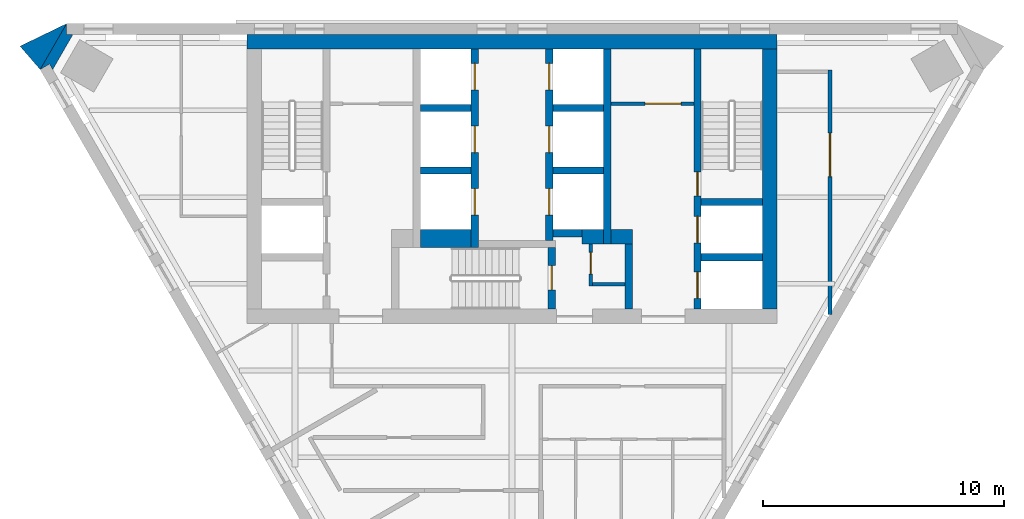
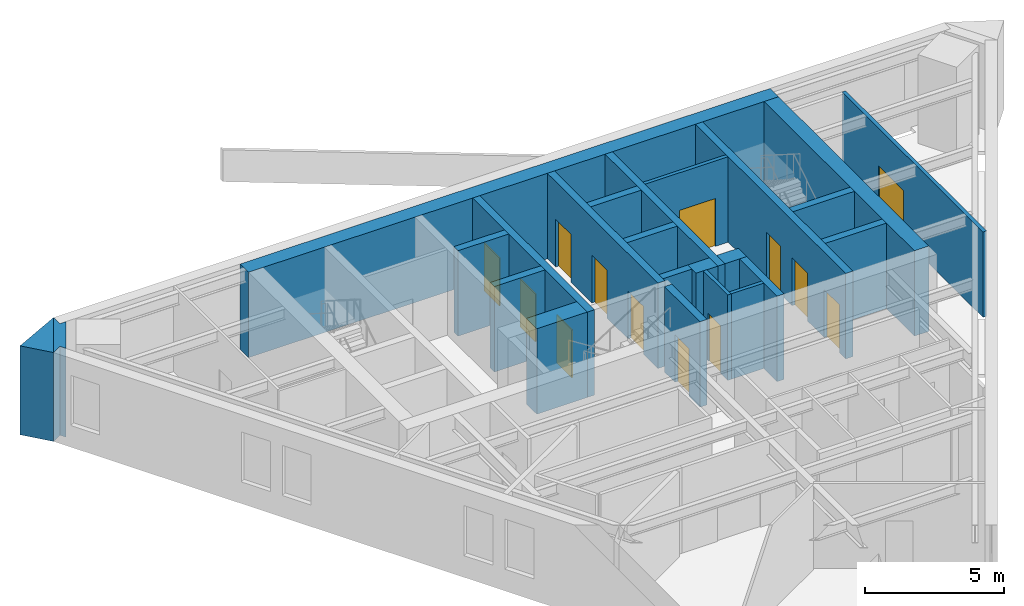
# One storey, part 4 of 6: 24 walls, 13 doors, 13 openings.
"""IFC4 building model written with IfcOpenShell, lengths in metres."""

from ifc_helpers import new_model, si_unit, direction, frame, frame_2d, origin, place, context, subcontext, project, spatial, polyline, rectangle, outline, extrude, material, layer, layer_set, type_object, element, fill, save


model = new_model("IFC4")

# Units and contexts
model_context = context("Model", 3, precision=1e-05, world=origin(), true_north=direction((0.0, 1.0)))
body_context = subcontext(model_context, "Body", "Model", "MODEL_VIEW")
ifc_project = project(units=[si_unit("LENGTHUNIT", "METRE"), si_unit("AREAUNIT", "SQUARE_METRE"), si_unit("VOLUMEUNIT", "CUBIC_METRE"), si_unit("PLANEANGLEUNIT", "RADIAN"), si_unit("MASSUNIT", "GRAM", prefix="KILO")], contexts=[model_context])

# Site, building, storey
site_placement = place(None, origin())
site = spatial("IfcSite", under=ifc_project, at=site_placement, CompositionType="ELEMENT")
building_placement = place(site_placement, origin())
building = spatial("IfcBuilding", under=site, at=building_placement, Name="Aloe Facet Convention Tower", CompositionType="ELEMENT")
storey_placement = place(building_placement, frame((0.0, 0.0, 242.60009765625)))
storey = spatial("IfcBuildingStorey", under=building, at=storey_placement, Name="L59", CompositionType="ELEMENT", Elevation=242.60009765625)

# Wall, opening, door
ifc_material_1 = material(Name="Concrete blockwork partition", Category="masonry")
ifc_layer_1 = layer(ifc_material_1, 0.14990234375)
ifc_layer_set_1 = layer_set([ifc_layer_1], Name="CR-W-PART150")
wall_type_1 = type_object("IfcWallType", Name="CR-W-PART150", PredefinedType="PARTITIONING", material=ifc_layer_set_1)
wall_1_placement = place(storey_placement, frame((83.27490234375, 125.85009765625, 0.0), z_axis=(0.0, 0.0, 1.0), x_axis=(0.0, -1.0, 0.0)))
wall_1 = element("IfcWall", 1, at=wall_1_placement, inside=storey, type_object=wall_type_1, Name="Core partition L59-022", PredefinedType="PARTITIONING", context=body_context, shape_type="SweptSolid", body=[
    extrude(rectangle(XDim=1.75, YDim=0.14990234375, at=frame_2d((0.875, 0.0))), origin(), (0.0, 0.0, 1.0), 3.75),
])
opening_1_placement = place(wall_1_placement, frame((0.35009765625, 0.0, 0.0)))
opening_1 = element("IfcOpeningElement", 2, at=opening_1_placement, cuts=wall_1, Name="Opening L59-CD12", PredefinedType="OPENING", context=body_context, shape_type="SweptSolid", body=[
    extrude(rectangle(XDim=0.89990234375, YDim=2.10009765625, at=frame_2d((0.449951171875, 1.050048828125))), frame((0.0, 0.0849609375, 0.0), z_axis=(0.0, -1.0, 0.0), x_axis=(1.0, 0.0, 0.0)), (0.0, 0.0, 1.0), 0.169921875),
])
ifc_material_2 = material(Name="Steel fire-resisting door set FD60", Category="steel")
door_type_1 = type_object("IfcDoorType", Name="CR-D-REFUGE-900-FD60-SRIGHT", OperationType="SINGLE_SWING_RIGHT", PredefinedType="DOOR", material=ifc_material_2)
door_1_placement = place(opening_1_placement, origin())
door_1 = element("IfcDoor", 3, at=door_1_placement, inside=storey, type_object=door_type_1, Name="Core door L59-CD12", OperationType="SINGLE_SWING_RIGHT", OverallHeight=2.10009765625, OverallWidth=0.89990234375, PredefinedType="DOOR", context=body_context, shape_type="SweptSolid", body=[
    extrude(rectangle(XDim=0.89990234375, YDim=2.10009765625, at=frame_2d((0.449951171875, 1.050048828125))), frame((0.0, 0.02490234375, 0.0), z_axis=(0.0, -1.0, 0.0), x_axis=(1.0, 0.0, 0.0)), (0.0, 0.0, 1.0), 0.050048828125),
])
fill(opening_1, door_1)

# Wall
wall_2_placement = place(storey_placement, frame((83.35009765625, 124.175048828125, 0.0), z_axis=(0.0, 0.0, 1.0), x_axis=(1.0, 0.0, 0.0)))
element("IfcWall", 4, at=wall_2_placement, inside=storey, type_object=wall_type_1, Name="Core partition L59-023", PredefinedType="PARTITIONING", context=body_context, shape_type="SweptSolid", body=[
    extrude(rectangle(XDim=1.349853515625, YDim=0.14990234375, at=frame_2d((0.6748046875, 0.0))), origin(), (0.0, 0.0, 1.0), 3.75),
])

# Wall, opening, door
wall_3_placement = place(storey_placement, frame((84.10009765625, 131.675048828125, 0.0), z_axis=(0.0, 0.0, 1.0), x_axis=(1.0, 0.0, 0.0)))
wall_3 = element("IfcWall", 5, at=wall_3_placement, inside=storey, type_object=wall_type_1, Name="Core partition L59-025", PredefinedType="PARTITIONING", context=body_context, shape_type="SweptSolid", body=[
    extrude(rectangle(XDim=3.449951171875, YDim=0.14990234375, at=frame_2d((1.72509765625, 0.0))), origin(), (0.0, 0.0, 1.0), 3.75),
])
opening_2_placement = place(wall_3_placement, frame((1.425048828125, 0.0, 0.0)))
opening_2 = element("IfcOpeningElement", 6, at=opening_2_placement, cuts=wall_3, Name="Opening L59-CD13", PredefinedType="OPENING", context=body_context, shape_type="SweptSolid", body=[
    extrude(rectangle(XDim=1.5, YDim=2.10009765625, at=frame_2d((0.75, 1.050048828125))), frame((0.0, 0.0849609375, 0.0), z_axis=(0.0, -1.0, 0.0), x_axis=(1.0, 0.0, 0.0)), (0.0, 0.0, 1.0), 0.169921875),
])
ifc_material_3 = material(Name="Steel fire-resisting door set FD60", Category="steel")
door_type_2 = type_object("IfcDoorType", Name="CR-D-REFUGE-1500-FD60-DD", OperationType="DOUBLE_DOOR_DOUBLE_SWING", PredefinedType="DOOR", material=ifc_material_3)
door_2_placement = place(opening_2_placement, origin())
door_2 = element("IfcDoor", 7, at=door_2_placement, inside=storey, type_object=door_type_2, Name="Core door L59-CD13", OperationType="DOUBLE_DOOR_DOUBLE_SWING", OverallHeight=2.10009765625, OverallWidth=1.5, PredefinedType="DOOR", context=body_context, shape_type="SweptSolid", body=[
    extrude(rectangle(XDim=1.5, YDim=2.10009765625, at=frame_2d((0.75, 1.050048828125))), frame((0.0, 0.02490234375, 0.0), z_axis=(0.0, -1.0, 0.0), x_axis=(1.0, 0.0, 0.0)), (0.0, 0.0, 1.0), 0.050048828125),
])
fill(opening_2, door_2)

# Walls
ifc_material_4 = material(Name="Concrete C50/60", Category="concrete")
ifc_layer_2 = layer(ifc_material_4, 0.300048828125)
ifc_layer_set_2 = layer_set([ifc_layer_2], Name="CR-W-RC300-C5060")
wall_type_2 = type_object("IfcWallType", Name="CR-W-RC300-C5060", PredefinedType="SOLIDWALL", material=ifc_layer_set_2)
for number, where, z_axis, x_axis, name in (
    (8, (76.199951171875, 131.5, 0.0), (0.0, 0.0, 1.0), (1.0, 0.0, 0.0), "Core wall L59-011"),
    (9, (76.199951171875, 128.89990234375, 0.0), (0.0, 0.0, 1.0), (1.0, 0.0, 0.0), "Core wall L59-012"),
):
    element("IfcWall", number, at=place(storey_placement, frame(where, z_axis=z_axis, x_axis=x_axis)), inside=storey, type_object=wall_type_2, Name=name, PredefinedType="SOLIDWALL", context=body_context, shape_type="SweptSolid", body=[
        extrude(rectangle(XDim=2.10009765625, YDim=0.300048828125, at=frame_2d((1.050048828125, 0.0))), origin(), (0.0, 0.0, 1.0), 3.75),
    ])

# Wall, openings, doors
wall_4_placement = place(storey_placement, frame((78.449951171875, 133.949951171875, 0.0), z_axis=(0.0, 0.0, 1.0), x_axis=(0.0, -1.0, 0.0)))
wall_4 = element("IfcWall", 10, at=wall_4_placement, inside=storey, type_object=wall_type_2, Name="Core wall L59-014", PredefinedType="SOLIDWALL", context=body_context, shape_type="SweptSolid", body=[
    extrude(rectangle(XDim=8.25, YDim=0.300048828125, at=frame_2d((4.125, 0.0))), origin(), (0.0, 0.0, 1.0), 3.75),
])
opening_3_placement = place(wall_4_placement, frame((0.60009765625, 0.0, 0.0)))
opening_3 = element("IfcOpeningElement", 11, at=opening_3_placement, cuts=wall_4, Name="Opening LD-B1-L59", PredefinedType="OPENING", context=body_context, shape_type="SweptSolid", body=[
    extrude(rectangle(XDim=1.10009765625, YDim=2.10009765625, at=frame_2d((0.550048828125, 1.050048828125))), frame((0.0, 0.16015625, 0.0), z_axis=(0.0, -1.0, 0.0), x_axis=(1.0, 0.0, 0.0)), (0.0, 0.0, 1.0), 0.320068359375),
])
opening_4_placement = place(wall_4_placement, frame((3.199951171875, 0.0, 0.0)))
opening_4 = element("IfcOpeningElement", 12, at=opening_4_placement, cuts=wall_4, Name="Opening LD-B2-L59", PredefinedType="OPENING", context=body_context, shape_type="SweptSolid", body=[
    extrude(rectangle(XDim=1.10009765625, YDim=2.10009765625, at=frame_2d((0.550048828125, 1.050048828125))), frame((0.0, 0.16015625, 0.0), z_axis=(0.0, -1.0, 0.0), x_axis=(1.0, 0.0, 0.0)), (0.0, 0.0, 1.0), 0.320068359375),
])
opening_5_placement = place(wall_4_placement, frame((5.800048828125, 0.0, 0.0)))
opening_5 = element("IfcOpeningElement", 13, at=opening_5_placement, cuts=wall_4, Name="Opening LD-B3-L59", PredefinedType="OPENING", context=body_context, shape_type="SweptSolid", body=[
    extrude(rectangle(XDim=1.10009765625, YDim=2.10009765625, at=frame_2d((0.550048828125, 1.050048828125))), frame((0.0, 0.16015625, 0.0), z_axis=(0.0, -1.0, 0.0), x_axis=(1.0, 0.0, 0.0)), (0.0, 0.0, 1.0), 0.320068359375),
])
ifc_material_5 = material(Name="Stainless steel sliding landing door", Category="steel")
door_type_3 = type_object("IfcDoorType", Name="CR-LD-1100-FD60-RIGHT", OperationType="SLIDING_TO_RIGHT", PredefinedType="DOOR", material=ifc_material_5)
door_3_placement = place(opening_3_placement, origin())
door_3 = element("IfcDoor", 14, at=door_3_placement, inside=storey, type_object=door_type_3, Name="Landing door B1 L59", OperationType="SLIDING_TO_RIGHT", OverallHeight=2.10009765625, OverallWidth=1.10009765625, PredefinedType="DOOR", context=body_context, shape_type="SweptSolid", body=[
    extrude(rectangle(XDim=1.10009765625, YDim=2.10009765625, at=frame_2d((0.550048828125, 1.050048828125))), frame((0.0, 0.02490234375, 0.0), z_axis=(0.0, -1.0, 0.0), x_axis=(1.0, 0.0, 0.0)), (0.0, 0.0, 1.0), 0.050048828125),
])
fill(opening_3, door_3)
door_4_placement = place(opening_4_placement, origin())
door_4 = element("IfcDoor", 15, at=door_4_placement, inside=storey, type_object=door_type_3, Name="Landing door B2 L59", OperationType="SLIDING_TO_RIGHT", OverallHeight=2.10009765625, OverallWidth=1.10009765625, PredefinedType="DOOR", context=body_context, shape_type="SweptSolid", body=[
    extrude(rectangle(XDim=1.10009765625, YDim=2.10009765625, at=frame_2d((0.550048828125, 1.050048828125))), frame((0.0, 0.02490234375, 0.0), z_axis=(0.0, -1.0, 0.0), x_axis=(1.0, 0.0, 0.0)), (0.0, 0.0, 1.0), 0.050048828125),
])
fill(opening_4, door_4)
door_5_placement = place(opening_5_placement, origin())
door_5 = element("IfcDoor", 16, at=door_5_placement, inside=storey, type_object=door_type_3, Name="Landing door B3 L59", OperationType="SLIDING_TO_RIGHT", OverallHeight=2.10009765625, OverallWidth=1.10009765625, PredefinedType="DOOR", context=body_context, shape_type="SweptSolid", body=[
    extrude(rectangle(XDim=1.10009765625, YDim=2.10009765625, at=frame_2d((0.550048828125, 1.050048828125))), frame((0.0, 0.02490234375, 0.0), z_axis=(0.0, -1.0, 0.0), x_axis=(1.0, 0.0, 0.0)), (0.0, 0.0, 1.0), 0.050048828125),
])
fill(opening_5, door_5)

wall_5_placement = place(storey_placement, frame((81.550048828125, 133.949951171875, 0.0), z_axis=(0.0, 0.0, 1.0), x_axis=(0.0, -1.0, 0.0)))
wall_5 = element("IfcWall", 17, at=wall_5_placement, inside=storey, type_object=wall_type_2, Name="Core wall L59-016", PredefinedType="SOLIDWALL", context=body_context, shape_type="SweptSolid", body=[
    extrude(rectangle(XDim=7.949951171875, YDim=0.300048828125, at=frame_2d((3.97509765625, 0.0))), origin(), (0.0, 0.0, 1.0), 3.75),
])
opening_6_placement = place(wall_5_placement, frame((0.60009765625, 0.0, 0.0)))
opening_6 = element("IfcOpeningElement", 18, at=opening_6_placement, cuts=wall_5, Name="Opening LD-B4-L59", PredefinedType="OPENING", context=body_context, shape_type="SweptSolid", body=[
    extrude(rectangle(XDim=1.10009765625, YDim=2.10009765625, at=frame_2d((0.550048828125, 1.050048828125))), frame((0.0, 0.16015625, 0.0), z_axis=(0.0, -1.0, 0.0), x_axis=(1.0, 0.0, 0.0)), (0.0, 0.0, 1.0), 0.320068359375),
])
opening_7_placement = place(wall_5_placement, frame((3.199951171875, 0.0, 0.0)))
opening_7 = element("IfcOpeningElement", 19, at=opening_7_placement, cuts=wall_5, Name="Opening LD-B5-L59", PredefinedType="OPENING", context=body_context, shape_type="SweptSolid", body=[
    extrude(rectangle(XDim=1.10009765625, YDim=2.10009765625, at=frame_2d((0.550048828125, 1.050048828125))), frame((0.0, 0.16015625, 0.0), z_axis=(0.0, -1.0, 0.0), x_axis=(1.0, 0.0, 0.0)), (0.0, 0.0, 1.0), 0.320068359375),
])
opening_8_placement = place(wall_5_placement, frame((5.800048828125, 0.0, 0.0)))
opening_8 = element("IfcOpeningElement", 20, at=opening_8_placement, cuts=wall_5, Name="Opening LD-B6-L59", PredefinedType="OPENING", context=body_context, shape_type="SweptSolid", body=[
    extrude(rectangle(XDim=1.10009765625, YDim=2.10009765625, at=frame_2d((0.550048828125, 1.050048828125))), frame((0.0, 0.16015625, 0.0), z_axis=(0.0, -1.0, 0.0), x_axis=(1.0, 0.0, 0.0)), (0.0, 0.0, 1.0), 0.320068359375),
])
ifc_material_6 = material(Name="Stainless steel sliding landing door", Category="steel")
door_type_4 = type_object("IfcDoorType", Name="CR-LD-1100-FD60-_LEFT", OperationType="SLIDING_TO_LEFT", PredefinedType="DOOR", material=ifc_material_6)
door_6_placement = place(opening_6_placement, origin())
door_6 = element("IfcDoor", 21, at=door_6_placement, inside=storey, type_object=door_type_4, Name="Landing door B4 L59", OperationType="SLIDING_TO_LEFT", OverallHeight=2.10009765625, OverallWidth=1.10009765625, PredefinedType="DOOR", context=body_context, shape_type="SweptSolid", body=[
    extrude(rectangle(XDim=1.10009765625, YDim=2.10009765625, at=frame_2d((0.550048828125, 1.050048828125))), frame((0.0, 0.02490234375, 0.0), z_axis=(0.0, -1.0, 0.0), x_axis=(1.0, 0.0, 0.0)), (0.0, 0.0, 1.0), 0.050048828125),
])
fill(opening_6, door_6)
door_7_placement = place(opening_7_placement, origin())
door_7 = element("IfcDoor", 22, at=door_7_placement, inside=storey, type_object=door_type_4, Name="Landing door B5 L59", OperationType="SLIDING_TO_LEFT", OverallHeight=2.10009765625, OverallWidth=1.10009765625, PredefinedType="DOOR", context=body_context, shape_type="SweptSolid", body=[
    extrude(rectangle(XDim=1.10009765625, YDim=2.10009765625, at=frame_2d((0.550048828125, 1.050048828125))), frame((0.0, 0.02490234375, 0.0), z_axis=(0.0, -1.0, 0.0), x_axis=(1.0, 0.0, 0.0)), (0.0, 0.0, 1.0), 0.050048828125),
])
fill(opening_7, door_7)
door_8_placement = place(opening_8_placement, origin())
door_8 = element("IfcDoor", 23, at=door_8_placement, inside=storey, type_object=door_type_4, Name="Landing door B6 L59", OperationType="SLIDING_TO_LEFT", OverallHeight=2.10009765625, OverallWidth=1.10009765625, PredefinedType="DOOR", context=body_context, shape_type="SweptSolid", body=[
    extrude(rectangle(XDim=1.10009765625, YDim=2.10009765625, at=frame_2d((0.550048828125, 1.050048828125))), frame((0.0, 0.02490234375, 0.0), z_axis=(0.0, -1.0, 0.0), x_axis=(1.0, 0.0, 0.0)), (0.0, 0.0, 1.0), 0.050048828125),
])
fill(opening_8, door_8)

# Wall, opening, door
wall_6_placement = place(storey_placement, frame((81.64990234375, 125.699951171875, 0.0), z_axis=(0.0, 0.0, 1.0), x_axis=(0.0, -1.0, 0.0)))
wall_6 = element("IfcWall", 24, at=wall_6_placement, inside=storey, type_object=wall_type_2, Name="Core wall L59-017", PredefinedType="SOLIDWALL", context=body_context, shape_type="SweptSolid", body=[
    extrude(rectangle(XDim=2.550048828125, YDim=0.300048828125, at=frame_2d((1.27490234375, 0.0))), origin(), (0.0, 0.0, 1.0), 3.75),
])
opening_9_placement = place(wall_6_placement, frame((0.75, 0.0, 0.0)))
opening_9 = element("IfcOpeningElement", 25, at=opening_9_placement, cuts=wall_6, Name="Opening L59-CD18", PredefinedType="OPENING", context=body_context, shape_type="SweptSolid", body=[
    extrude(rectangle(XDim=1.0, YDim=2.10009765625, at=frame_2d((0.5, 1.050048828125))), frame((0.0, 0.16015625, 0.0), z_axis=(0.0, -1.0, 0.0), x_axis=(1.0, 0.0, 0.0)), (0.0, 0.0, 1.0), 0.320068359375),
])
ifc_material_7 = material(Name="Steel fire-resisting door set FD120", Category="steel")
door_type_5 = type_object("IfcDoorType", Name="CR-D-STAIR-1000-FD120-SLEFT", OperationType="SINGLE_SWING_LEFT", PredefinedType="DOOR", material=ifc_material_7)
door_9_placement = place(opening_9_placement, origin())
door_9 = element("IfcDoor", 26, at=door_9_placement, inside=storey, type_object=door_type_5, Name="Core door L59-CD18", OperationType="SINGLE_SWING_LEFT", OverallHeight=2.10009765625, OverallWidth=1.0, PredefinedType="DOOR", context=body_context, shape_type="SweptSolid", body=[
    extrude(rectangle(XDim=1.0, YDim=2.10009765625, at=frame_2d((0.5, 1.050048828125))), frame((0.0, 0.02490234375, 0.0), z_axis=(0.0, -1.0, 0.0), x_axis=(1.0, 0.0, 0.0)), (0.0, 0.0, 1.0), 0.050048828125),
])
fill(opening_9, door_9)

# Walls
for number, where, z_axis, x_axis, name in (
    (27, (81.699951171875, 131.5, 0.0), (0.0, 0.0, 1.0), (1.0, 0.0, 0.0), "Core wall L59-018"),
    (28, (81.699951171875, 128.89990234375, 0.0), (0.0, 0.0, 1.0), (1.0, 0.0, 0.0), "Core wall L59-019"),
):
    element("IfcWall", number, at=place(storey_placement, frame(where, z_axis=z_axis, x_axis=x_axis)), inside=storey, type_object=wall_type_2, Name=name, PredefinedType="SOLIDWALL", context=body_context, shape_type="SweptSolid", body=[
        extrude(rectangle(XDim=2.10009765625, YDim=0.300048828125, at=frame_2d((1.050048828125, 0.0))), origin(), (0.0, 0.0, 1.0), 3.75),
    ])
wall_7_placement = place(storey_placement, frame((81.699951171875, 126.300048828125, 0.0), z_axis=(0.0, 0.0, 1.0), x_axis=(1.0, 0.0, 0.0)))
element("IfcWall", 29, at=wall_7_placement, inside=storey, type_object=wall_type_2, Name="Core wall L59-020", PredefinedType="SOLIDWALL", context=body_context, shape_type="SweptSolid", body=[
    extrude(rectangle(XDim=1.199951171875, YDim=0.300048828125, at=frame_2d((0.60009765625, 0.0))), origin(), (0.0, 0.0, 1.0), 3.75),
])
wall_8_placement = place(storey_placement, frame((83.949951171875, 133.949951171875, 0.0), z_axis=(0.0, 0.0, 1.0), x_axis=(0.0, -1.0, 0.0)))
element("IfcWall", 30, at=wall_8_placement, inside=storey, type_object=wall_type_2, Name="Core wall L59-024", PredefinedType="SOLIDWALL", context=body_context, shape_type="SweptSolid", body=[
    extrude(rectangle(XDim=8.099853515625, YDim=0.300048828125, at=frame_2d((4.0498046875, 0.0))), origin(), (0.0, 0.0, 1.0), 3.75),
])
wall_9_placement = place(storey_placement, frame((84.85009765625, 125.85009765625, 0.0), z_axis=(0.0, 0.0, 1.0), x_axis=(0.0, -1.0, 0.0)))
element("IfcWall", 31, at=wall_9_placement, inside=storey, type_object=wall_type_2, Name="Core wall L59-027", PredefinedType="SOLIDWALL", context=body_context, shape_type="SweptSolid", body=[
    extrude(rectangle(XDim=2.7001953125, YDim=0.300048828125, at=frame_2d((1.35009765625, 0.0))), origin(), (0.0, 0.0, 1.0), 3.75),
])

# Wall, openings, doors
wall_10_placement = place(storey_placement, frame((87.699951171875, 133.949951171875, 0.0), z_axis=(0.0, 0.0, 1.0), x_axis=(0.0, -1.0, 0.0)))
wall_10 = element("IfcWall", 32, at=wall_10_placement, inside=storey, type_object=wall_type_2, Name="Core wall L59-028", PredefinedType="SOLIDWALL", context=body_context, shape_type="SweptSolid", body=[
    extrude(rectangle(XDim=10.800048828125, YDim=0.300048828125, at=frame_2d((5.39990234375, 0.0))), origin(), (0.0, 0.0, 1.0), 3.75),
])
opening_10_placement = place(wall_10_placement, frame((6.949951171875, 0.0, 0.0)))
opening_10 = element("IfcOpeningElement", 33, at=opening_10_placement, cuts=wall_10, Name="Opening LD-FF2-L59", PredefinedType="OPENING", context=body_context, shape_type="SweptSolid", body=[
    extrude(rectangle(XDim=1.10009765625, YDim=2.10009765625, at=frame_2d((0.550048828125, 1.050048828125))), frame((0.0, 0.16015625, 0.0), z_axis=(0.0, -1.0, 0.0), x_axis=(1.0, 0.0, 0.0)), (0.0, 0.0, 1.0), 0.320068359375),
])
opening_11_placement = place(wall_10_placement, frame((5.10009765625, 0.0, 0.0)))
opening_11 = element("IfcOpeningElement", 34, at=opening_11_placement, cuts=wall_10, Name="Opening L59-CD17", PredefinedType="OPENING", context=body_context, shape_type="SweptSolid", body=[
    extrude(rectangle(XDim=1.0, YDim=2.10009765625, at=frame_2d((0.5, 1.050048828125))), frame((0.0, 0.16015625, 0.0), z_axis=(0.0, -1.0, 0.0), x_axis=(1.0, 0.0, 0.0)), (0.0, 0.0, 1.0), 0.320068359375),
])
opening_12_placement = place(wall_10_placement, frame((9.25, 0.0, 0.0)))
opening_12 = element("IfcOpeningElement", 35, at=opening_12_placement, cuts=wall_10, Name="Opening LD-SV1-L59", PredefinedType="OPENING", context=body_context, shape_type="SweptSolid", body=[
    extrude(rectangle(XDim=1.10009765625, YDim=2.10009765625, at=frame_2d((0.550048828125, 1.050048828125))), frame((0.0, 0.16015625, 0.0), z_axis=(0.0, -1.0, 0.0), x_axis=(1.0, 0.0, 0.0)), (0.0, 0.0, 1.0), 0.320068359375),
])
door_10_placement = place(opening_11_placement, origin())
door_10 = element("IfcDoor", 36, at=door_10_placement, inside=storey, type_object=door_type_5, Name="Core door L59-CD17", OperationType="SINGLE_SWING_LEFT", OverallHeight=2.10009765625, OverallWidth=1.0, PredefinedType="DOOR", context=body_context, shape_type="SweptSolid", body=[
    extrude(rectangle(XDim=1.0, YDim=2.10009765625, at=frame_2d((0.5, 1.050048828125))), frame((0.0, 0.02490234375, 0.0), z_axis=(0.0, -1.0, 0.0), x_axis=(1.0, 0.0, 0.0)), (0.0, 0.0, 1.0), 0.050048828125),
])
fill(opening_11, door_10)
ifc_material_8 = material(Name="Stainless steel sliding landing door", Category="steel")
door_type_6 = type_object("IfcDoorType", Name="CR-LD-1100-FD120-_LEFT", OperationType="SLIDING_TO_LEFT", PredefinedType="DOOR", material=ifc_material_8)
door_11_placement = place(opening_10_placement, origin())
door_11 = element("IfcDoor", 37, at=door_11_placement, inside=storey, type_object=door_type_6, Name="Landing door FF2 L59", OperationType="SLIDING_TO_LEFT", OverallHeight=2.10009765625, OverallWidth=1.10009765625, PredefinedType="DOOR", context=body_context, shape_type="SweptSolid", body=[
    extrude(rectangle(XDim=1.10009765625, YDim=2.10009765625, at=frame_2d((0.550048828125, 1.050048828125))), frame((0.0, 0.02490234375, 0.0), z_axis=(0.0, -1.0, 0.0), x_axis=(1.0, 0.0, 0.0)), (0.0, 0.0, 1.0), 0.050048828125),
])
fill(opening_10, door_11)
door_12_placement = place(opening_12_placement, origin())
door_12 = element("IfcDoor", 38, at=door_12_placement, inside=storey, type_object=door_type_6, Name="Landing door SV1 L59", OperationType="SLIDING_TO_LEFT", OverallHeight=2.10009765625, OverallWidth=1.10009765625, PredefinedType="DOOR", context=body_context, shape_type="SweptSolid", body=[
    extrude(rectangle(XDim=1.10009765625, YDim=2.10009765625, at=frame_2d((0.550048828125, 1.050048828125))), frame((0.0, 0.02490234375, 0.0), z_axis=(0.0, -1.0, 0.0), x_axis=(1.0, 0.0, 0.0)), (0.0, 0.0, 1.0), 0.050048828125),
])
fill(opening_12, door_12)

# Walls
for number, where, z_axis, x_axis, name in (
    (39, (87.85009765625, 127.60009765625, 0.0), (0.0, 0.0, 1.0), (1.0, 0.0, 0.0), "Core wall L59-029"),
    (40, (87.85009765625, 125.300048828125, 0.0), (0.0, 0.0, 1.0), (1.0, 0.0, 0.0), "Core wall L59-030"),
):
    element("IfcWall", number, at=place(storey_placement, frame(where, z_axis=z_axis, x_axis=x_axis)), inside=storey, type_object=wall_type_2, Name=name, PredefinedType="SOLIDWALL", context=body_context, shape_type="SweptSolid", body=[
        extrude(rectangle(XDim=2.5498046875, YDim=0.300048828125, at=frame_2d((1.27490234375, 0.0))), origin(), (0.0, 0.0, 1.0), 3.75),
    ])
ifc_material_9 = material(Name="Concrete C50/60", Category="concrete")
ifc_layer_3 = layer(ifc_material_9, 0.60009765625)
ifc_layer_set_3 = layer_set([ifc_layer_3], Name="CR-W-RC600-C5060")
wall_type_3 = type_object("IfcWallType", Name="CR-W-RC600-C5060", PredefinedType="SOLIDWALL", material=ifc_layer_set_3)
wall_11_placement = place(storey_placement, frame((69.0, 134.25, 0.0), z_axis=(0.0, 0.0, 1.0), x_axis=(1.0, 0.0, 0.0)))
element("IfcWall", 41, at=wall_11_placement, inside=storey, type_object=wall_type_3, Name="Core wall L59-001", PredefinedType="SOLIDWALL", context=body_context, shape_type="SweptSolid", body=[
    extrude(rectangle(XDim=22.0, YDim=0.60009765625, at=frame_2d((11.0, 0.0))), origin(), (0.0, 0.0, 1.0), 3.75),
])
wall_12_placement = place(storey_placement, frame((82.89990234375, 126.14990234375, 0.0), z_axis=(0.0, 0.0, 1.0), x_axis=(1.0, 0.0, 0.0)))
element("IfcWall", 42, at=wall_12_placement, inside=storey, type_object=wall_type_3, Name="Core wall L59-021", PredefinedType="SOLIDWALL", context=body_context, shape_type="SweptSolid", body=[
    extrude(rectangle(XDim=0.900146484375, YDim=0.60009765625, at=frame_2d((0.4501953125, 0.0))), origin(), (0.0, 0.0, 1.0), 3.75),
])
wall_13_placement = place(storey_placement, frame((84.10009765625, 126.14990234375, 0.0), z_axis=(0.0, 0.0, 1.0), x_axis=(1.0, 0.0, 0.0)))
element("IfcWall", 43, at=wall_13_placement, inside=storey, type_object=wall_type_3, Name="Core wall L59-026", PredefinedType="SOLIDWALL", context=body_context, shape_type="SweptSolid", body=[
    extrude(rectangle(XDim=0.89990234375, YDim=0.60009765625, at=frame_2d((0.449951171875, 0.0))), origin(), (0.0, 0.0, 1.0), 3.75),
])
wall_14_placement = place(storey_placement, frame((90.699951171875, 133.949951171875, 0.0), z_axis=(0.0, 0.0, 1.0), x_axis=(0.0, -1.0, 0.0)))
element("IfcWall", 44, at=wall_14_placement, inside=storey, type_object=wall_type_3, Name="Core wall L59-031", PredefinedType="SOLIDWALL", context=body_context, shape_type="SweptSolid", body=[
    extrude(rectangle(XDim=10.800048828125, YDim=0.60009765625, at=frame_2d((5.39990234375, 0.0))), origin(), (0.0, 0.0, 1.0), 3.75),
])
ifc_material_10 = material(Name="Concrete C50/60", Category="concrete")
ifc_layer_4 = layer(ifc_material_10, 0.75)
ifc_layer_set_4 = layer_set([ifc_layer_4], Name="CR-W-RC750-C5060")
wall_type_4 = type_object("IfcWallType", Name="CR-W-RC750-C5060", PredefinedType="SOLIDWALL", material=ifc_layer_set_4)
wall_15_placement = place(storey_placement, frame((76.199951171875, 126.074951171875, 0.0), z_axis=(0.0, 0.0, 1.0), x_axis=(1.0, 0.0, 0.0)))
element("IfcWall", 45, at=wall_15_placement, inside=storey, type_object=wall_type_4, Name="Core wall L59-013", PredefinedType="SOLIDWALL", context=body_context, shape_type="SweptSolid", body=[
    extrude(rectangle(XDim=2.10009765625, YDim=0.75, at=frame_2d((1.050048828125, 0.0))), origin(), (0.0, 0.0, 1.0), 3.75),
])
ifc_material_11 = material(Name="Precast concrete C40/50", Category="concrete")
ifc_layer_5 = layer(ifc_material_11, 0.449951171875)
ifc_layer_set_5 = layer_set([ifc_layer_5], Name="EV-WALL-PIER")
wall_type_5 = type_object("IfcWallType", Name="EV-WALL-PIER", PredefinedType="SOLIDWALL", material=ifc_layer_set_5)
wall_16_placement = place(storey_placement, frame((0.0, 0.0, -0.150146484375)))
element("IfcWall", 46, at=wall_16_placement, inside=storey, type_object=wall_type_5, Name="EP-L59-A", PredefinedType="SOLIDWALL", context=body_context, shape_type="SweptSolid", body=[
    extrude(outline(polyline([(61.513916015625, 135.0), (61.513916015625, 134.550048828125), (61.773681640625, 134.550048828125), (60.933349609375, 133.0947265625), (60.803466796875, 133.31982421875), (60.413818359375, 133.0947265625), (61.513916015625, 135.0)])), origin(), (0.0, 0.0, 1.0), 3.900146484375),
])
ifc_material_12 = material(Name="Precast concrete C40/50", Category="concrete")
ifc_layer_6 = layer(ifc_material_12, 3.947998046875)
ifc_layer_set_6 = layer_set([ifc_layer_6], Name="EV-WALL-SPINE")
wall_type_6 = type_object("IfcWallType", Name="EV-WALL-SPINE", PredefinedType="SOLIDWALL", material=ifc_layer_set_6)
wall_17_placement = place(storey_placement, frame((0.0, 0.0, -0.150146484375)))
element("IfcWall", 47, at=wall_17_placement, inside=storey, type_object=wall_type_6, Name="SP-NW-L59", PredefinedType="SOLIDWALL", context=body_context, shape_type="SweptSolid", body=[
    extrude(outline(polyline([(61.513916015625, 135.0), (59.577880859375, 134.062744140625), (60.413818359375, 133.0947265625), (61.513916015625, 135.0)])), origin(), (0.0, 0.0, 1.0), 3.900146484375),
])

# Wall, opening, door
ifc_material_13 = material(Name="Gypsum board partition on steel studs", Category="steel")
ifc_layer_7 = layer(ifc_material_13, 0.14990234375)
ifc_layer_set_7 = layer_set([ifc_layer_7], Name="IN-W-CORR")
wall_type_7 = type_object("IfcWallType", Name="IN-W-CORR", PredefinedType="PARTITIONING", material=ifc_layer_set_7)
wall_18_placement = place(storey_placement, frame((93.199951171875, 122.93359375, 0.0), z_axis=(0.0, 0.0, 1.0), x_axis=(0.0, 1.0, 0.0)))
wall_18 = element("IfcWall", 48, at=wall_18_placement, inside=storey, type_object=wall_type_7, Name="Partition L59-W033", PredefinedType="PARTITIONING", context=body_context, shape_type="SweptSolid", body=[
    extrude(rectangle(XDim=10.141357421875, YDim=0.14990234375, at=frame_2d((5.07080078125, 0.0))), origin(), (0.0, 0.0, 1.0), 3.75),
])
opening_13_placement = place(wall_18_placement, frame((5.718994140625, 0.0, 0.0)))
opening_13 = element("IfcOpeningElement", 49, at=opening_13_placement, cuts=wall_18, Name="Opening L59-010", PredefinedType="OPENING", context=body_context, shape_type="SweptSolid", body=[
    extrude(rectangle(XDim=1.800048828125, YDim=2.10009765625, at=frame_2d((0.89990234375, 1.050048828125))), frame((0.0, 0.0849609375, 0.0), z_axis=(0.0, -1.0, 0.0), x_axis=(1.0, 0.0, 0.0)), (0.0, 0.0, 1.0), 0.169921875),
])
ifc_material_14 = material(Name="Glazed timber door pair FD30S", Category="wood")
door_type_7 = type_object("IfcDoorType", Name="IN-OFF-D-SUITE", OperationType="DOUBLE_DOOR_SINGLE_SWING", PredefinedType="DOOR", material=ifc_material_14)
door_13_placement = place(opening_13_placement, origin())
door_13 = element("IfcDoor", 50, at=door_13_placement, inside=storey, type_object=door_type_7, Name="Door L59-010", OperationType="SINGLE_SWING_LEFT", OverallHeight=2.10009765625, OverallWidth=1.800048828125, PredefinedType="DOOR", context=body_context, shape_type="SweptSolid", body=[
    extrude(rectangle(XDim=1.800048828125, YDim=2.10009765625, at=frame_2d((0.89990234375, 1.050048828125))), frame((0.0, 0.02490234375, 0.0), z_axis=(0.0, -1.0, 0.0), x_axis=(1.0, 0.0, 0.0)), (0.0, 0.0, 1.0), 0.050048828125),
])
fill(opening_13, door_13)

save(model, "model.ifc")
